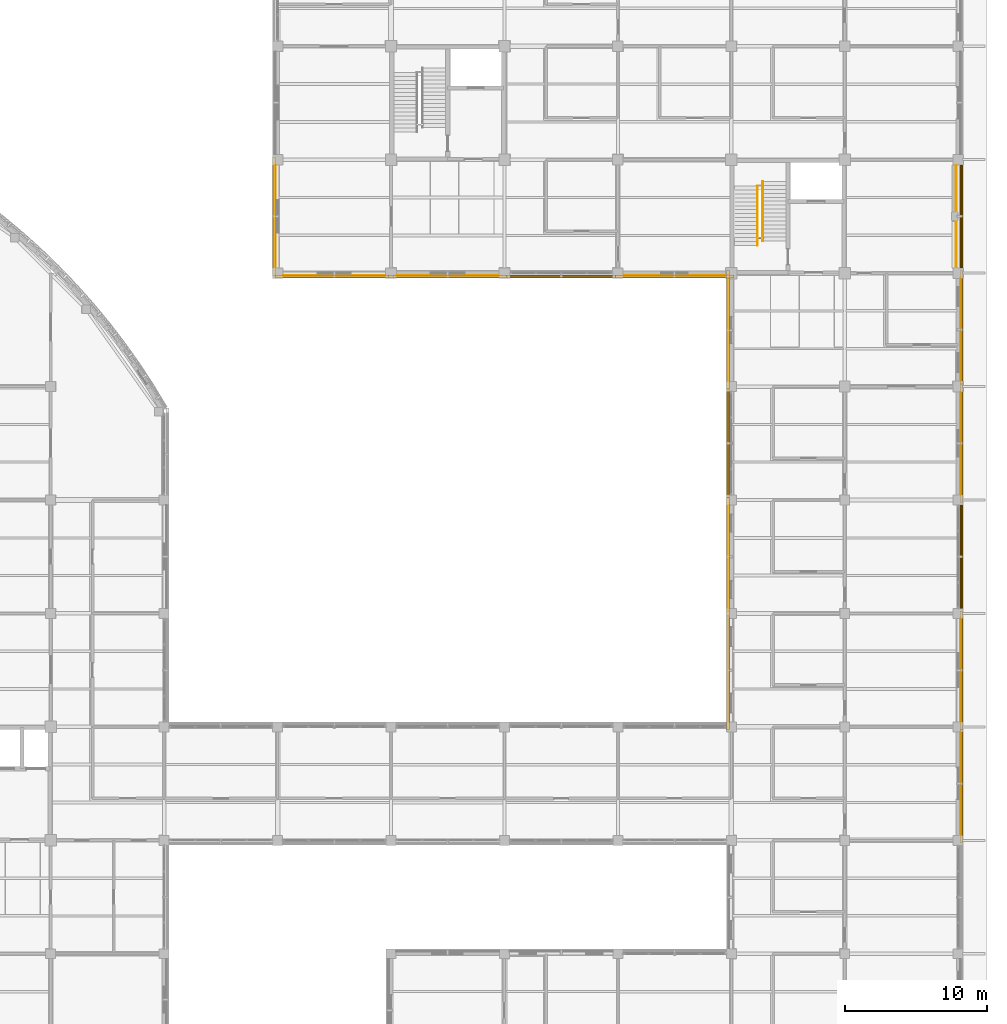
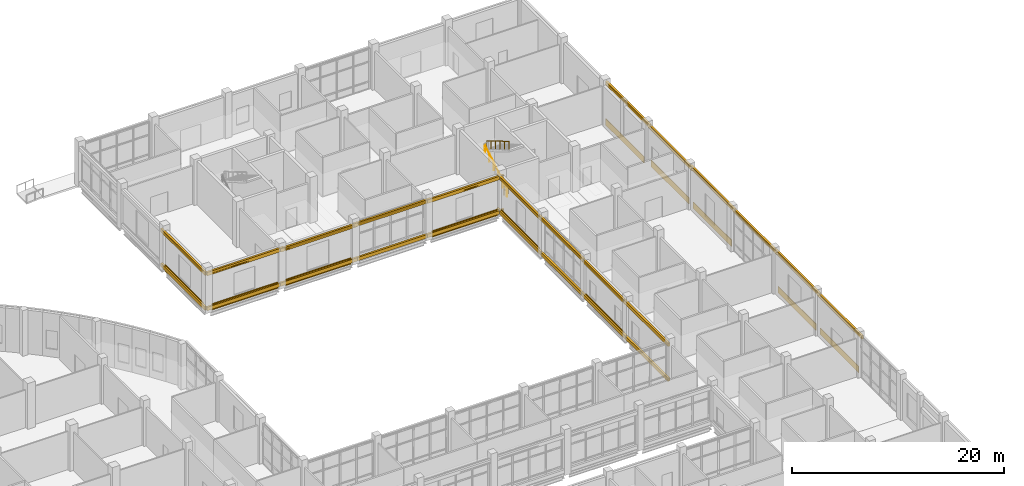
# One storey, part 104 of 105: 35 coverings, 14 shading devices, 3 railings.
"""IFC4 building model written with IfcOpenShell, lengths in metres."""

from ifc_helpers import new_model, si_unit, derived_unit, direction, frame, origin, origin_2d, place, context, subcontext, project, spatial, rectangle, circle, extrude, material, layer, layer_set, material_profile, profile_set, type_object, element, save


model = new_model("IFC4")

# Units and contexts
model_context = context("Model", 3, precision=1e-05, world=origin(), true_north=direction((0.0, 1.0)))
body_context = subcontext(model_context, "Body", "Model", "MODEL_VIEW")
ifc_project = project(units=[si_unit("LENGTHUNIT", "METRE"), si_unit("AREAUNIT", "SQUARE_METRE"), si_unit("VOLUMEUNIT", "CUBIC_METRE"), si_unit("PLANEANGLEUNIT", "RADIAN"), si_unit("MASSUNIT", "GRAM", prefix="KILO"), derived_unit("THERMALTRANSMITTANCEUNIT", [(si_unit("MASSUNIT", "GRAM", prefix="KILO"), 1), (si_unit("TIMEUNIT", "SECOND"), -3), (si_unit("THERMODYNAMICTEMPERATUREUNIT", "KELVIN"), -1)])], contexts=[model_context])

# Site, building, storey
site_placement = place(None, origin())
site = spatial("IfcSite", under=ifc_project, at=site_placement, CompositionType="ELEMENT")
building_placement = place(site_placement, origin())
building = spatial("IfcBuilding", under=site, at=building_placement, Name="Veyamyaing Civic Hall", CompositionType="ELEMENT")
storey_placement = place(building_placement, origin())
storey = spatial("IfcBuildingStorey", under=building, at=storey_placement, Name="L00", CompositionType="ELEMENT", Elevation=0.0)

# Coverings
ifc_material_1 = material(Name="Buff sandstone ashlar cladding", Category="masonry")
ifc_layer_1 = layer(ifc_material_1, 0.050048828125, Name="Buff sandstone ashlar cladding")
ifc_layer_set_1 = layer_set([ifc_layer_1], Name="Buff sandstone ashlar cladding")
covering_type_1 = type_object("IfcCoveringType", Name="CL-01", PredefinedType="CLADDING", material=ifc_layer_set_1)
for number, where, z_axis, x_axis, name in (
    (1, (132.0, 87.839111328125, 0.044921875), (0.0, 0.0, 1.0), (1.0, 0.0, 0.0), "Facade spandrel cladding CL-01 L00 S 17.12"),
    (2, (127.839111328125, 92.0, 0.044921875), (0.0, 0.0, 1.0), (0.0, 1.0, 0.0), "Facade spandrel cladding CL-01 L00 W 17.12"),
    (3, (140.0, 87.839111328125, 0.044921875), (0.0, 0.0, 1.0), (1.0, 0.0, 0.0), "Facade spandrel cladding CL-01 L00 S 18.12"),
):
    element("IfcCovering", number, at=place(storey_placement, frame(where, z_axis=z_axis, x_axis=x_axis)), inside=storey, type_object=covering_type_1, Name=name, PredefinedType="CLADDING", context=body_context, shape_type="SweptSolid", body=[
        extrude(rectangle(XDim=7.199951171875, YDim=0.050048828125, at=origin_2d()), origin(), (0.0, 0.0, 1.0), 0.75),
    ])
covering_1_placement = place(storey_placement, frame((155.987548828125, 87.839111328125, 0.044921875), z_axis=(0.0, 0.0, 1.0), x_axis=(1.0, 0.0, 0.0)))
element("IfcCovering", 4, at=covering_1_placement, inside=storey, type_object=covering_type_1, Name="Facade spandrel cladding CL-01 L00 S 20.12", PredefinedType="CLADDING", context=body_context, shape_type="SweptSolid", body=[
    extrude(rectangle(XDim=7.175048828125, YDim=0.050048828125, at=origin_2d()), origin(), (0.0, 0.0, 1.0), 0.75),
])
covering_2_placement = place(storey_placement, frame((159.839111328125, 68.0, 0.044921875), z_axis=(0.0, 0.0, 1.0), x_axis=(0.0, 1.0, 0.0)))
element("IfcCovering", 5, at=covering_2_placement, inside=storey, type_object=covering_type_1, Name="Facade spandrel cladding CL-01 L00 W 21.9", PredefinedType="CLADDING", context=body_context, shape_type="SweptSolid", body=[
    extrude(rectangle(XDim=7.25, YDim=0.050048828125, at=origin_2d()), origin(), (0.0, 0.0, 1.0), 0.75),
])
covering_3_placement = place(storey_placement, frame((159.839111328125, 83.97509765625, 0.044921875), z_axis=(0.0, 0.0, 1.0), x_axis=(0.0, 1.0, 0.0)))
element("IfcCovering", 6, at=covering_3_placement, inside=storey, type_object=covering_type_1, Name="Facade spandrel cladding CL-01 L00 W 21.11", PredefinedType="CLADDING", context=body_context, shape_type="SweptSolid", body=[
    extrude(rectangle(XDim=7.199951171875, YDim=0.050048828125, at=origin_2d()), origin(), (0.0, 0.0, 1.0), 0.75),
])
for number, where, z_axis, x_axis, name in (
    (7, (176.160888671875, 52.0, 0.044921875), (0.0, 0.0, 1.0), (0.0, 1.0, 0.0), "Facade spandrel cladding CL-01 L00 E 22.7"),
    (8, (176.160888671875, 60.0, 0.044921875), (0.0, 0.0, 1.0), (0.0, 1.0, 0.0), "Facade spandrel cladding CL-01 L00 E 22.8"),
):
    element("IfcCovering", number, at=place(storey_placement, frame(where, z_axis=z_axis, x_axis=x_axis)), inside=storey, type_object=covering_type_1, Name=name, PredefinedType="CLADDING", context=body_context, shape_type="SweptSolid", body=[
        extrude(rectangle(XDim=7.25, YDim=0.050048828125, at=origin_2d()), origin(), (0.0, 0.0, 1.0), 0.75),
    ])
covering_4_placement = place(storey_placement, frame((176.160888671875, 75.987548828125, 0.044921875), z_axis=(0.0, 0.0, 1.0), x_axis=(0.0, 1.0, 0.0)))
element("IfcCovering", 9, at=covering_4_placement, inside=storey, type_object=covering_type_1, Name="Facade spandrel cladding CL-01 L00 E 22.10", PredefinedType="CLADDING", context=body_context, shape_type="SweptSolid", body=[
    extrude(rectangle(XDim=7.22509765625, YDim=0.050048828125, at=origin_2d()), origin(), (0.0, 0.0, 1.0), 0.75),
])
for number, where, z_axis, x_axis, name in (
    (10, (176.160888671875, 84.0, 0.044921875), (0.0, 0.0, 1.0), (0.0, 1.0, 0.0), "Facade spandrel cladding CL-01 L00 E 22.11"),
    (11, (175.861083984375, 92.0, 0.044921875), (0.0, 0.0, 1.0), (0.0, 1.0, 0.0), "Facade spandrel cladding CL-01 L00 E 22.12"),
):
    element("IfcCovering", number, at=place(storey_placement, frame(where, z_axis=z_axis, x_axis=x_axis)), inside=storey, type_object=covering_type_1, Name=name, PredefinedType="CLADDING", context=body_context, shape_type="SweptSolid", body=[
        extrude(rectangle(XDim=7.199951171875, YDim=0.050048828125, at=origin_2d()), origin(), (0.0, 0.0, 1.0), 0.75),
    ])
ifc_material_2 = material(Name="White powder-coated aluminium 6063-T6", Category="aluminium")
ifc_layer_2 = layer(ifc_material_2, 0.2099609375, Name="White powder-coated aluminium 6063-T6")
ifc_layer_set_2 = layer_set([ifc_layer_2], Name="White powder-coated aluminium 6063-T6")
covering_type_2 = type_object("IfcCoveringType", Name="CL-03", PredefinedType="CLADDING", material=ifc_layer_set_2)
for number, where, z_axis, x_axis, name in (
    (12, (132.0, 87.760009765625, 4.297119140625), (0.0, 0.0, 1.0), (1.0, 0.0, 0.0), "Continuous white head fascia ribbon CL-03 L00 S 17.12"),
    (13, (132.0, 87.760009765625, 0.280029296875), (0.0, 0.0, 1.0), (1.0, 0.0, 0.0), "Continuous white sill fascia ribbon CL-03 L00 S 17.12"),
    (14, (127.760009765625, 92.0, 4.297119140625), (0.0, 0.0, 1.0), (0.0, 1.0, 0.0), "Continuous white head fascia ribbon CL-03 L00 W 17.12"),
    (15, (127.760009765625, 92.0, 0.280029296875), (0.0, 0.0, 1.0), (0.0, 1.0, 0.0), "Continuous white sill fascia ribbon CL-03 L00 W 17.12"),
    (16, (140.0, 87.760009765625, 4.22998046875), (0.0, 0.0, 1.0), (1.0, 0.0, 0.0), "Continuous white head fascia ribbon CL-03 L00 S 18.12"),
    (17, (140.0, 87.760009765625, 0.280029296875), (0.0, 0.0, 1.0), (1.0, 0.0, 0.0), "Continuous white sill fascia ribbon CL-03 L00 S 18.12"),
    (18, (148.0, 87.760009765625, 4.2939453125), (0.0, 0.0, 1.0), (1.0, 0.0, 0.0), "Continuous white head fascia ribbon CL-03 L00 S 19.12"),
    (19, (148.0, 87.760009765625, 0.280029296875), (0.0, 0.0, 1.0), (1.0, 0.0, 0.0), "Continuous white sill fascia ribbon CL-03 L00 S 19.12"),
    (20, (156.0, 87.760009765625, 4.234130859375), (0.0, 0.0, 1.0), (1.0, 0.0, 0.0), "Continuous white head fascia ribbon CL-03 L00 S 20.12"),
    (21, (156.0, 87.760009765625, 0.280029296875), (0.0, 0.0, 1.0), (1.0, 0.0, 0.0), "Continuous white sill fascia ribbon CL-03 L00 S 20.12"),
    (22, (159.760009765625, 60.0, 4.302001953125), (0.0, 0.0, 1.0), (0.0, 1.0, 0.0), "Continuous white head fascia ribbon CL-03 L00 W 21.8"),
    (23, (159.760009765625, 60.0, 0.280029296875), (0.0, 0.0, 1.0), (0.0, 1.0, 0.0), "Continuous white sill fascia ribbon CL-03 L00 W 21.8"),
    (24, (159.760009765625, 68.0, 4.235107421875), (0.0, 0.0, 1.0), (0.0, 1.0, 0.0), "Continuous white head fascia ribbon CL-03 L00 W 21.9"),
    (25, (159.760009765625, 68.0, 0.280029296875), (0.0, 0.0, 1.0), (0.0, 1.0, 0.0), "Continuous white sill fascia ribbon CL-03 L00 W 21.9"),
    (26, (159.760009765625, 76.0, 4.299072265625), (0.0, 0.0, 1.0), (0.0, 1.0, 0.0), "Continuous white head fascia ribbon CL-03 L00 W 21.10"),
    (27, (159.760009765625, 76.0, 0.280029296875), (0.0, 0.0, 1.0), (0.0, 1.0, 0.0), "Continuous white sill fascia ribbon CL-03 L00 W 21.10"),
    (28, (159.760009765625, 84.0, 4.239013671875), (0.0, 0.0, 1.0), (0.0, 1.0, 0.0), "Continuous white head fascia ribbon CL-03 L00 W 21.11"),
    (29, (159.760009765625, 84.0, 0.280029296875), (0.0, 0.0, 1.0), (0.0, 1.0, 0.0), "Continuous white sill fascia ribbon CL-03 L00 W 21.11"),
    (30, (176.239990234375, 52.0, 4.22998046875), (0.0, 0.0, 1.0), (0.0, 1.0, 0.0), "Continuous white head fascia ribbon CL-03 L00 E 22.7"),
    (31, (176.239990234375, 60.0, 4.2939453125), (0.0, 0.0, 1.0), (0.0, 1.0, 0.0), "Continuous white head fascia ribbon CL-03 L00 E 22.8"),
    (32, (176.239990234375, 68.0, 4.234130859375), (0.0, 0.0, 1.0), (0.0, 1.0, 0.0), "Continuous white head fascia ribbon CL-03 L00 E 22.9"),
    (33, (176.239990234375, 76.0, 4.297119140625), (0.0, 0.0, 1.0), (0.0, 1.0, 0.0), "Continuous white head fascia ribbon CL-03 L00 E 22.10"),
    (34, (176.239990234375, 84.0, 4.22998046875), (0.0, 0.0, 1.0), (0.0, 1.0, 0.0), "Continuous white head fascia ribbon CL-03 L00 E 22.11"),
    (35, (176.239990234375, 92.0, 4.2939453125), (0.0, 0.0, 1.0), (0.0, 1.0, 0.0), "Continuous white head fascia ribbon CL-03 L00 E 22.12"),
):
    element("IfcCovering", number, at=place(storey_placement, frame(where, z_axis=z_axis, x_axis=x_axis)), inside=storey, type_object=covering_type_2, Name=name, PredefinedType="CLADDING", context=body_context, shape_type="SweptSolid", body=[
        extrude(rectangle(XDim=8.360107421875, YDim=0.2099609375, at=origin_2d()), origin(), (0.0, 0.0, 1.0), 0.39990234375),
    ])

# Railings
ifc_material_3 = material(Name="Steel S355J2", Category="steel")
railing_type_1 = type_object("IfcRailingType", Name="RL-01", PredefinedType="BALUSTRADE", material=ifc_material_3)
railing_1_placement = place(storey_placement, frame((161.800048828125, 90.47998046875, 0.0)))
element("IfcRailing", 36, at=railing_1_placement, inside=storey, type_object=railing_type_1, Name="Floor-landing slot guard RL-01 ST-03 L00", PredefinedType="BALUSTRADE", context=body_context, shape_type="SweptSolid", body=[
    extrude(circle(Radius=0.02392578125, at=origin_2d()), frame((0.0, 0.0, 1.076171875), z_axis=(1.0, 0.0, 0.0), x_axis=(0.0, 1.0, 0.0)), (0.0, 0.0, 1.0), 0.469970703125),
    extrude(circle(Radius=0.01416015625, at=origin_2d()), frame((0.0, 0.0, 0.572021484375), z_axis=(1.0, 0.0, 0.0), x_axis=(0.0, 1.0, 0.0)), (0.0, 0.0, 1.0), 0.469970703125),
    extrude(circle(Radius=0.02099609375, at=origin_2d()), origin(), (0.0, 0.0, 1.0), 1.052001953125),
    extrude(circle(Radius=0.02099609375, at=origin_2d()), frame((0.469970703125, 0.0, 0.0)), (0.0, 0.0, 1.0), 1.052001953125),
])
railing_type_2 = type_object("IfcRailingType", Name="RL-02", PredefinedType="HANDRAIL", material=ifc_material_3)
railing_2_placement = place(storey_placement, frame((161.840087890625, 89.949951171875, 0.1650390625)))
element("IfcRailing", 37, at=railing_2_placement, inside=storey, type_object=railing_type_2, Name="Stair pitch handrail RL-02 ST-03 L00.1", PredefinedType="HANDRAIL", context=body_context, shape_type="SweptSolid", body=[
    extrude(circle(Radius=0.02392578125, at=origin_2d()), frame((0.0, 0.0, 0.89599609375), z_axis=(0.0, 0.861549022881, 0.507674384988), x_axis=(-1.0, 0.0, 0.0)), (0.0, 0.0, 1.0), 4.875),
    extrude(circle(Radius=0.02099609375, at=origin_2d()), origin(), (0.0, 0.0, 1.0), 0.871826171875),
    extrude(circle(Radius=0.02099609375, at=origin_2d()), frame((0.0, 0.840087890625, 0.494873046875)), (0.0, 0.0, 1.0), 0.871826171875),
    extrude(circle(Radius=0.02099609375, at=origin_2d()), frame((0.0, 1.679931640625, 0.989990234375)), (0.0, 0.0, 1.0), 0.871826171875),
    extrude(circle(Radius=0.02099609375, at=origin_2d()), frame((0.0, 2.52001953125, 1.48486328125)), (0.0, 0.0, 1.0), 0.871826171875),
    extrude(circle(Radius=0.02099609375, at=origin_2d()), frame((0.0, 3.35986328125, 1.97998046875)), (0.0, 0.0, 1.0), 0.871826171875),
    extrude(circle(Radius=0.02099609375, at=origin_2d()), frame((0.0, 4.199951171875, 2.474853515625)), (0.0, 0.0, 1.0), 0.871826171875),
])
railing_3_placement = place(storey_placement, frame((162.219970703125, 94.469970703125, 2.804931640625)))
element("IfcRailing", 38, at=railing_3_placement, inside=storey, type_object=railing_type_2, Name="Stair pitch handrail RL-02 ST-03 L00.2", PredefinedType="HANDRAIL", context=body_context, shape_type="SweptSolid", body=[
    extrude(circle(Radius=0.02392578125, at=origin_2d()), frame((0.0, 0.0, 0.89599609375), z_axis=(0.0, -0.861527117747, 0.50771155727), x_axis=(1.0, 0.0, 0.0)), (0.0, 0.0, 1.0), 4.875),
    extrude(circle(Radius=0.02099609375, at=origin_2d()), origin(), (0.0, 0.0, 1.0), 0.871826171875),
    extrude(circle(Radius=0.02099609375, at=origin_2d()), frame((0.0, -0.840087890625, 0.4951171875)), (0.0, 0.0, 1.0), 0.871826171875),
    extrude(circle(Radius=0.02099609375, at=origin_2d()), frame((0.0, -1.679931640625, 0.989990234375)), (0.0, 0.0, 1.0), 0.871826171875),
    extrude(circle(Radius=0.02099609375, at=origin_2d()), frame((0.0, -2.52001953125, 1.485107421875)), (0.0, 0.0, 1.0), 0.871826171875),
    extrude(circle(Radius=0.02099609375, at=origin_2d()), frame((0.0, -3.35986328125, 1.97998046875)), (0.0, 0.0, 1.0), 0.871826171875),
    extrude(circle(Radius=0.02099609375, at=origin_2d()), frame((0.0, -4.199951171875, 2.47509765625)), (0.0, 0.0, 1.0), 0.871826171875),
])

# Shading devices
ifc_material_profile = material_profile(ifc_material_2, circle(Radius=0.090087890625, at=origin_2d()), Name="SHADE-TUBE-180")
ifc_profile_set = profile_set([ifc_material_profile], Name="White powder-coated aluminium 6063-T6")
shading_device_type = type_object("IfcShadingDeviceType", Name="SH-02", PredefinedType="USERDEFINED", material=ifc_profile_set)
for number, where, z_axis, x_axis, name in (
    (39, (128.360107421875, 87.760009765625, 4.45703125), (1.0, 0.0, 0.0), (0.0, 1.0, 0.0), "Horizontal white sunshade ribbon SH-02 L00 S 17.12"),
    (40, (127.760009765625, 88.360107421875, 4.45703125), (0.0, 1.0, 0.0), (-1.0, 0.0, 0.0), "Horizontal white sunshade ribbon SH-02 L00 W 17.12"),
    (41, (136.360107421875, 87.760009765625, 4.389892578125), (1.0, 0.0, 0.0), (0.0, 1.0, 0.0), "Horizontal white sunshade ribbon SH-02 L00 S 18.12"),
    (42, (144.360107421875, 87.760009765625, 4.4541015625), (1.0, 0.0, 0.0), (0.0, 1.0, 0.0), "Horizontal white sunshade ribbon SH-02 L00 S 19.12"),
):
    element("IfcShadingDevice", number, at=place(storey_placement, frame(where, z_axis=z_axis, x_axis=x_axis)), inside=storey, type_object=shading_device_type, Name=name, ObjectType="SUNSHADE", PredefinedType="USERDEFINED", context=body_context, shape_type="SweptSolid", body=[
        extrude(circle(Radius=0.090087890625, at=origin_2d()), origin(), (0.0, 0.0, 1.0), 7.27978515625),
    ])
shading_device_1_placement = place(storey_placement, frame((152.360107421875, 87.760009765625, 4.39404296875), z_axis=(1.0, 0.0, 0.0), x_axis=(0.0, 1.0, 0.0)))
element("IfcShadingDevice", 43, at=shading_device_1_placement, inside=storey, type_object=shading_device_type, Name="Horizontal white sunshade ribbon SH-02 L00 S 20.12", ObjectType="SUNSHADE", PredefinedType="USERDEFINED", context=body_context, shape_type="SweptSolid", body=[
    extrude(circle(Radius=0.090087890625, at=origin_2d()), origin(), (0.0, 0.0, 1.0), 7.2548828125),
])
for number, where, z_axis, x_axis, name in (
    (44, (159.760009765625, 64.3349609375, 4.39501953125), (0.0, 1.0, 0.0), (-1.0, 0.0, 0.0), "Horizontal white sunshade ribbon SH-02 L00 W 21.9"),
    (45, (159.760009765625, 72.3349609375, 4.458984375), (0.0, 1.0, 0.0), (-1.0, 0.0, 0.0), "Horizontal white sunshade ribbon SH-02 L00 W 21.10"),
):
    element("IfcShadingDevice", number, at=place(storey_placement, frame(where, z_axis=z_axis, x_axis=x_axis)), inside=storey, type_object=shading_device_type, Name=name, ObjectType="SUNSHADE", PredefinedType="USERDEFINED", context=body_context, shape_type="SweptSolid", body=[
        extrude(circle(Radius=0.090087890625, at=origin_2d()), origin(), (0.0, 0.0, 1.0), 7.330078125),
    ])
shading_device_2_placement = place(storey_placement, frame((159.760009765625, 80.3349609375, 4.39892578125), z_axis=(0.0, 1.0, 0.0), x_axis=(-1.0, 0.0, 0.0)))
element("IfcShadingDevice", 46, at=shading_device_2_placement, inside=storey, type_object=shading_device_type, Name="Horizontal white sunshade ribbon SH-02 L00 W 21.11", ObjectType="SUNSHADE", PredefinedType="USERDEFINED", context=body_context, shape_type="SweptSolid", body=[
    extrude(circle(Radius=0.090087890625, at=origin_2d()), origin(), (0.0, 0.0, 1.0), 7.280029296875),
])
for number, where, z_axis, x_axis, name in (
    (47, (176.239990234375, 48.3349609375, 4.389892578125), (0.0, 1.0, 0.0), (-1.0, 0.0, 0.0), "Horizontal white sunshade ribbon SH-02 L00 E 22.7"),
    (48, (176.239990234375, 56.3349609375, 4.4541015625), (0.0, 1.0, 0.0), (-1.0, 0.0, 0.0), "Horizontal white sunshade ribbon SH-02 L00 E 22.8"),
    (49, (176.239990234375, 64.3349609375, 4.39404296875), (0.0, 1.0, 0.0), (-1.0, 0.0, 0.0), "Horizontal white sunshade ribbon SH-02 L00 E 22.9"),
):
    element("IfcShadingDevice", number, at=place(storey_placement, frame(where, z_axis=z_axis, x_axis=x_axis)), inside=storey, type_object=shading_device_type, Name=name, ObjectType="SUNSHADE", PredefinedType="USERDEFINED", context=body_context, shape_type="SweptSolid", body=[
        extrude(circle(Radius=0.090087890625, at=origin_2d()), origin(), (0.0, 0.0, 1.0), 7.330078125),
    ])
shading_device_3_placement = place(storey_placement, frame((176.239990234375, 72.3349609375, 4.45703125), z_axis=(0.0, 1.0, 0.0), x_axis=(-1.0, 0.0, 0.0)))
element("IfcShadingDevice", 50, at=shading_device_3_placement, inside=storey, type_object=shading_device_type, Name="Horizontal white sunshade ribbon SH-02 L00 E 22.10", ObjectType="SUNSHADE", PredefinedType="USERDEFINED", context=body_context, shape_type="SweptSolid", body=[
    extrude(circle(Radius=0.090087890625, at=origin_2d()), origin(), (0.0, 0.0, 1.0), 7.304931640625),
])
for number, where, z_axis, x_axis, name in (
    (51, (176.239990234375, 80.360107421875, 4.389892578125), (0.0, 1.0, 0.0), (-1.0, 0.0, 0.0), "Horizontal white sunshade ribbon SH-02 L00 E 22.11"),
    (52, (176.239990234375, 88.360107421875, 4.4541015625), (0.0, 1.0, 0.0), (-1.0, 0.0, 0.0), "Horizontal white sunshade ribbon SH-02 L00 E 22.12"),
):
    element("IfcShadingDevice", number, at=place(storey_placement, frame(where, z_axis=z_axis, x_axis=x_axis)), inside=storey, type_object=shading_device_type, Name=name, ObjectType="SUNSHADE", PredefinedType="USERDEFINED", context=body_context, shape_type="SweptSolid", body=[
        extrude(circle(Radius=0.090087890625, at=origin_2d()), origin(), (0.0, 0.0, 1.0), 7.27978515625),
    ])

save(model, "model.ifc")
